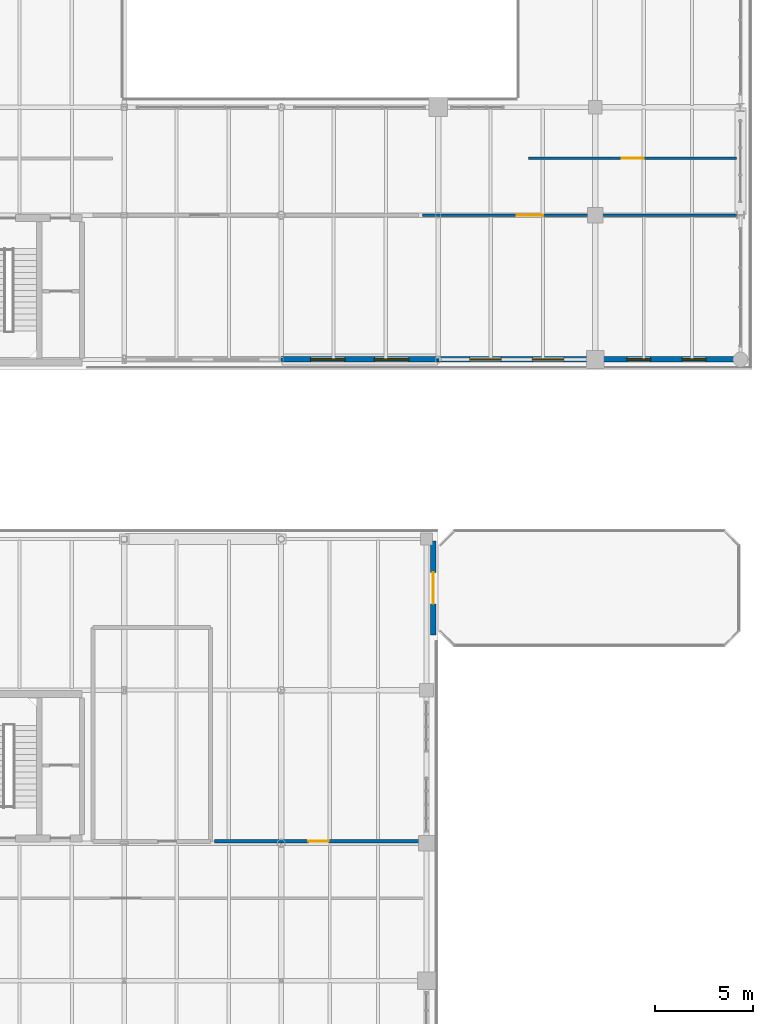
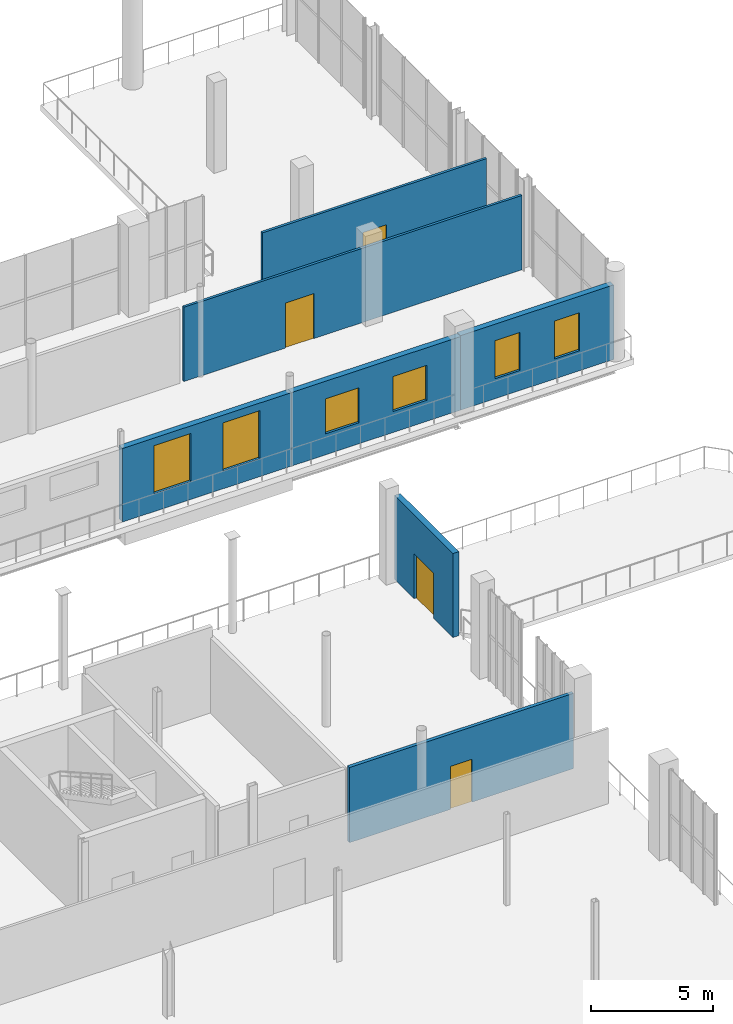
# One storey, part 75 of 93: 7 walls, 6 windows, 4 doors, 10 openings.
"""IFC4 building model written with IfcOpenShell, lengths in metres."""

from ifc_helpers import new_model, si_unit, direction, frame, frame_2d, origin, place, context, subcontext, project, spatial, rectangle, extrude, material, layer, layer_set, type_object, element, fill, save


model = new_model("IFC4")

# Units and contexts
model_context = context("Model", 3, precision=1e-05, world=origin(), true_north=direction((0.0, 1.0)))
body_context = subcontext(model_context, "Body", "Model", "MODEL_VIEW")
ifc_project = project(units=[si_unit("LENGTHUNIT", "METRE"), si_unit("AREAUNIT", "SQUARE_METRE"), si_unit("VOLUMEUNIT", "CUBIC_METRE"), si_unit("PLANEANGLEUNIT", "RADIAN"), si_unit("MASSUNIT", "GRAM", prefix="KILO")], contexts=[model_context])

# Site, building, storey
site_placement = place(None, origin())
site = spatial("IfcSite", under=ifc_project, at=site_placement, CompositionType="ELEMENT")
building_placement = place(site_placement, origin())
building = spatial("IfcBuilding", under=site, at=building_placement, Name="Brisemont Oceanarium", CompositionType="ELEMENT")
storey_placement = place(building_placement, frame((0.0, 0.0, 5.39990234375)))
storey = spatial("IfcBuildingStorey", under=building, at=storey_placement, Name="L01", CompositionType="ELEMENT", Elevation=5.39990234375)

# Wall, opening, door
ifc_material_1 = material(Name="Beaux-Arts Limestone Cladding Precast Concrete C40/50", Category="masonry")
ifc_layer_1 = layer(ifc_material_1, 0.280029296875)
ifc_layer_set_1 = layer_set([ifc_layer_1], Name="Beaux-Arts Limestone Cladding Precast Concrete C40/50")
wall_type_1 = type_object("IfcWallType", Name="EW-LIME-280", PredefinedType="STANDARD", material=ifc_layer_set_1)
wall_1_placement = place(storey_placement, frame((143.75, 66.60009765625, 0.0), z_axis=(0.0, 0.0, 1.0), x_axis=(0.0, 1.0, 0.0)))
wall_1 = element("IfcWall", 1, at=wall_1_placement, inside=storey, type_object=wall_type_1, Name="Beaux-Arts exterior wall EW-V5ETERN-L01", PredefinedType="STANDARD", context=body_context, shape_type="SweptSolid", body=[
    extrude(rectangle(XDim=4.7998046875, YDim=0.280029296875, at=frame_2d((2.39990234375, 0.0))), origin(), (0.0, 0.0, 1.0), 4.2001953125),
])
opening_1_placement = place(wall_1_placement, frame((1.60009765625, 0.0, 0.0)))
opening_1 = element("IfcOpeningElement", 2, at=opening_1_placement, cuts=wall_1, Name="Opening ED-01", PredefinedType="OPENING", context=body_context, shape_type="SweptSolid", body=[
    extrude(rectangle(XDim=1.60009765625, YDim=2.25, at=frame_2d((0.800048828125, 1.125))), frame((0.0, 0.14990234375, 0.0), z_axis=(0.0, -1.0, 0.0), x_axis=(1.0, 0.0, 0.0)), (0.0, 0.0, 1.0), 0.300048828125),
])
ifc_material_2 = material(Name="Anodized Extruded Aluminum 6063-T6", Category="aluminium")
door_type_1 = type_object("IfcDoorType", Name="DR-TER-1600X2250", OperationType="NOTDEFINED", PredefinedType="DOOR", material=ifc_material_2)
door_1_placement = place(opening_1_placement, origin())
door_1 = element("IfcDoor", 3, at=door_1_placement, inside=storey, type_object=door_type_1, Name="ED-01 exterior entrance door 8", OperationType="SINGLE_SWING_RIGHT", OverallHeight=2.25, OverallWidth=1.60009765625, PredefinedType="DOOR", context=body_context, shape_type="SweptSolid", body=[
    extrude(rectangle(XDim=1.60009765625, YDim=2.25, at=frame_2d((0.800048828125, 1.125))), frame((0.0, 0.02490234375, 0.0), z_axis=(0.0, -1.0, 0.0), x_axis=(1.0, 0.0, 0.0)), (0.0, 0.0, 1.0), 0.050048828125),
])
fill(opening_1, door_1)

# Wall, openings, windows
wall_2_placement = place(storey_placement, frame((136.0, 80.64990234375, 0.0), z_axis=(0.0, 0.0, 1.0), x_axis=(1.0, 0.0, 0.0)))
wall_2 = element("IfcWall", 4, at=wall_2_placement, inside=storey, type_object=wall_type_1, Name="Beaux-Arts exterior wall EW-V6S-L01-4", PredefinedType="STANDARD", context=body_context, shape_type="SweptSolid", body=[
    extrude(rectangle(XDim=8.0, YDim=0.280029296875, at=frame_2d((4.0, 0.0))), origin(), (0.0, 0.0, 1.0), 3.68017578125),
])
opening_2_placement = place(wall_2_placement, frame((1.5, 0.0, 0.89990234375)))
opening_2 = element("IfcOpeningElement", 5, at=opening_2_placement, cuts=wall_2, Name="Opening WIN-19", PredefinedType="OPENING", context=body_context, shape_type="SweptSolid", body=[
    extrude(rectangle(XDim=1.75, YDim=2.39990234375, at=frame_2d((0.875, 1.199951171875))), frame((0.0, 0.14990234375, 0.0), z_axis=(0.0, -1.0, 0.0), x_axis=(1.0, 0.0, 0.0)), (0.0, 0.0, 1.0), 0.300048828125),
])
opening_3_placement = place(wall_2_placement, frame((4.75, 0.0, 0.89990234375)))
opening_3 = element("IfcOpeningElement", 6, at=opening_3_placement, cuts=wall_2, Name="Opening WIN-19", PredefinedType="OPENING", context=body_context, shape_type="SweptSolid", body=[
    extrude(rectangle(XDim=1.75, YDim=2.39990234375, at=frame_2d((0.875, 1.199951171875))), frame((0.0, 0.14990234375, 0.0), z_axis=(0.0, -1.0, 0.0), x_axis=(1.0, 0.0, 0.0)), (0.0, 0.0, 1.0), 0.300048828125),
])
ifc_material_3 = material(Name="Insulated Low-E Laminated Glass", Category="glass")
window_type_1 = type_object("IfcWindowType", Name="WIN-BA-1750X2400", PartitioningType="SINGLE_PANEL", PredefinedType="WINDOW", material=ifc_material_3)
window_1_placement = place(opening_2_placement, origin())
window_1 = element("IfcWindow", 7, at=window_1_placement, inside=storey, type_object=window_type_1, Name="WIN-19 facade window 73", OverallHeight=2.39990234375, OverallWidth=1.75, PartitioningType="SINGLE_PANEL", PredefinedType="WINDOW", context=body_context, shape_type="SweptSolid", body=[
    extrude(rectangle(XDim=1.75, YDim=2.39990234375, at=frame_2d((0.875, 1.199951171875))), frame((0.0, 0.030029296875, 0.0), z_axis=(0.0, -1.0, 0.0), x_axis=(1.0, 0.0, 0.0)), (0.0, 0.0, 1.0), 0.06005859375),
])
fill(opening_2, window_1)
window_2_placement = place(opening_3_placement, origin())
window_2 = element("IfcWindow", 8, at=window_2_placement, inside=storey, type_object=window_type_1, Name="WIN-19 facade window 74", OverallHeight=2.39990234375, OverallWidth=1.75, PartitioningType="SINGLE_PANEL", PredefinedType="WINDOW", context=body_context, shape_type="SweptSolid", body=[
    extrude(rectangle(XDim=1.75, YDim=2.39990234375, at=frame_2d((0.875, 1.199951171875))), frame((0.0, 0.030029296875, 0.0), z_axis=(0.0, -1.0, 0.0), x_axis=(1.0, 0.0, 0.0)), (0.0, 0.0, 1.0), 0.06005859375),
])
fill(opening_3, window_2)

wall_3_placement = place(storey_placement, frame((144.0, 80.64990234375, 0.0), z_axis=(0.0, 0.0, 1.0), x_axis=(1.0, 0.0, 0.0)))
wall_3 = element("IfcWall", 9, at=wall_3_placement, inside=storey, type_object=wall_type_1, Name="Beaux-Arts exterior wall EW-V6S-L01-5", PredefinedType="STANDARD", context=body_context, shape_type="SweptSolid", body=[
    extrude(rectangle(XDim=8.0, YDim=0.280029296875, at=frame_2d((4.0, 0.0))), origin(), (0.0, 0.0, 1.0), 3.68017578125),
])
opening_4_placement = place(wall_3_placement, frame((1.60009765625, 0.0, 1.050048828125)))
opening_4 = element("IfcOpeningElement", 10, at=opening_4_placement, cuts=wall_3, Name="Opening WIN-27", PredefinedType="OPENING", context=body_context, shape_type="SweptSolid", body=[
    extrude(rectangle(XDim=1.60009765625, YDim=1.75, at=frame_2d((0.800048828125, 0.875))), frame((0.0, 0.14990234375, 0.0), z_axis=(0.0, -1.0, 0.0), x_axis=(1.0, 0.0, 0.0)), (0.0, 0.0, 1.0), 0.300048828125),
])
opening_5_placement = place(wall_3_placement, frame((4.800048828125, 0.0, 1.050048828125)))
opening_5 = element("IfcOpeningElement", 11, at=opening_5_placement, cuts=wall_3, Name="Opening WIN-27", PredefinedType="OPENING", context=body_context, shape_type="SweptSolid", body=[
    extrude(rectangle(XDim=1.60009765625, YDim=1.75, at=frame_2d((0.800048828125, 0.875))), frame((0.0, 0.14990234375, 0.0), z_axis=(0.0, -1.0, 0.0), x_axis=(1.0, 0.0, 0.0)), (0.0, 0.0, 1.0), 0.300048828125),
])
ifc_material_4 = material(Name="Insulated Low-E Laminated Glass", Category="glass")
window_type_2 = type_object("IfcWindowType", Name="WIN-LAB-1600X1750", PartitioningType="SINGLE_PANEL", PredefinedType="WINDOW", material=ifc_material_4)
window_3_placement = place(opening_4_placement, origin())
window_3 = element("IfcWindow", 12, at=window_3_placement, inside=storey, type_object=window_type_2, Name="WIN-27 facade window 81", OverallHeight=1.75, OverallWidth=1.60009765625, PartitioningType="SINGLE_PANEL", PredefinedType="WINDOW", context=body_context, shape_type="SweptSolid", body=[
    extrude(rectangle(XDim=1.60009765625, YDim=1.75, at=frame_2d((0.800048828125, 0.875))), frame((0.0, 0.030029296875, 0.0), z_axis=(0.0, -1.0, 0.0), x_axis=(1.0, 0.0, 0.0)), (0.0, 0.0, 1.0), 0.06005859375),
])
fill(opening_4, window_3)
window_4_placement = place(opening_5_placement, origin())
window_4 = element("IfcWindow", 13, at=window_4_placement, inside=storey, type_object=window_type_2, Name="WIN-27 facade window 82", OverallHeight=1.75, OverallWidth=1.60009765625, PartitioningType="SINGLE_PANEL", PredefinedType="WINDOW", context=body_context, shape_type="SweptSolid", body=[
    extrude(rectangle(XDim=1.60009765625, YDim=1.75, at=frame_2d((0.800048828125, 0.875))), frame((0.0, 0.030029296875, 0.0), z_axis=(0.0, -1.0, 0.0), x_axis=(1.0, 0.0, 0.0)), (0.0, 0.0, 1.0), 0.06005859375),
])
fill(opening_5, window_4)

wall_4_placement = place(storey_placement, frame((152.0, 80.64990234375, 0.0), z_axis=(0.0, 0.0, 1.0), x_axis=(1.0, 0.0, 0.0)))
wall_4 = element("IfcWall", 14, at=wall_4_placement, inside=storey, type_object=wall_type_1, Name="Beaux-Arts exterior wall EW-V6S-L01-6", PredefinedType="STANDARD", context=body_context, shape_type="SweptSolid", body=[
    extrude(rectangle(XDim=7.25, YDim=0.280029296875, at=frame_2d((3.625, 0.0))), origin(), (0.0, 0.0, 1.0), 3.72705078125),
])
opening_6_placement = place(wall_4_placement, frame((1.61669921875, 0.0, 1.0)))
opening_6 = element("IfcOpeningElement", 15, at=opening_6_placement, cuts=wall_4, Name="Opening WIN-08", PredefinedType="OPENING", context=body_context, shape_type="SweptSolid", body=[
    extrude(rectangle(XDim=1.199951171875, YDim=1.89990234375, at=frame_2d((0.60009765625, 0.949951171875))), frame((0.0, 0.14990234375, 0.0), z_axis=(0.0, -1.0, 0.0), x_axis=(1.0, 0.0, 0.0)), (0.0, 0.0, 1.0), 0.300048828125),
])
opening_7_placement = place(wall_4_placement, frame((4.433349609375, 0.0, 1.0)))
opening_7 = element("IfcOpeningElement", 16, at=opening_7_placement, cuts=wall_4, Name="Opening WIN-08", PredefinedType="OPENING", context=body_context, shape_type="SweptSolid", body=[
    extrude(rectangle(XDim=1.199951171875, YDim=1.89990234375, at=frame_2d((0.60009765625, 0.949951171875))), frame((0.0, 0.14990234375, 0.0), z_axis=(0.0, -1.0, 0.0), x_axis=(1.0, 0.0, 0.0)), (0.0, 0.0, 1.0), 0.300048828125),
])
ifc_material_5 = material(Name="Insulated Low-E Laminated Glass", Category="glass")
window_type_3 = type_object("IfcWindowType", Name="WIN-BA-1200X1900", PartitioningType="SINGLE_PANEL", PredefinedType="WINDOW", material=ifc_material_5)
window_5_placement = place(opening_6_placement, origin())
window_5 = element("IfcWindow", 17, at=window_5_placement, inside=storey, type_object=window_type_3, Name="WIN-08 facade window 89", OverallHeight=1.89990234375, OverallWidth=1.199951171875, PartitioningType="SINGLE_PANEL", PredefinedType="WINDOW", context=body_context, shape_type="SweptSolid", body=[
    extrude(rectangle(XDim=1.199951171875, YDim=1.89990234375, at=frame_2d((0.60009765625, 0.949951171875))), frame((0.0, 0.030029296875, 0.0), z_axis=(0.0, -1.0, 0.0), x_axis=(1.0, 0.0, 0.0)), (0.0, 0.0, 1.0), 0.06005859375),
])
fill(opening_6, window_5)
window_6_placement = place(opening_7_placement, origin())
window_6 = element("IfcWindow", 18, at=window_6_placement, inside=storey, type_object=window_type_3, Name="WIN-08 facade window 90", OverallHeight=1.89990234375, OverallWidth=1.199951171875, PartitioningType="SINGLE_PANEL", PredefinedType="WINDOW", context=body_context, shape_type="SweptSolid", body=[
    extrude(rectangle(XDim=1.199951171875, YDim=1.89990234375, at=frame_2d((0.60009765625, 0.949951171875))), frame((0.0, 0.030029296875, 0.0), z_axis=(0.0, -1.0, 0.0), x_axis=(1.0, 0.0, 0.0)), (0.0, 0.0, 1.0), 0.06005859375),
])
fill(opening_7, window_6)

# Wall, opening, door
ifc_material_6 = material(Name="Moisture-Resistant Gypsum Steel-Stud Partition", Category="steel")
ifc_layer_2 = layer(ifc_material_6, 0.159912109375)
ifc_layer_set_2 = layer_set([ifc_layer_2], Name="Moisture-Resistant Gypsum Steel-Stud Partition")
wall_type_2 = type_object("IfcWallType", Name="IW-FB-160", PredefinedType="PARTITIONING", material=ifc_layer_set_2)
wall_5_placement = place(storey_placement, frame((132.60009765625, 56.10009765625, 0.0), z_axis=(0.0, 0.0, 1.0), x_axis=(1.0, 0.0, 0.0)))
wall_5 = element("IfcWall", 19, at=wall_5_placement, inside=storey, type_object=wall_type_2, Name="Mangrove Nursery Exhibit Gallery corridor partition", PredefinedType="PARTITIONING", context=body_context, shape_type="SweptSolid", body=[
    extrude(rectangle(XDim=10.599853515625, YDim=0.159912109375, at=frame_2d((5.2998046875, 0.0))), origin(), (0.0, 0.0, 1.0), 3.76708984375),
])
opening_8_placement = place(wall_5_placement, frame((4.7900390625, 0.0, 0.0)))
opening_8 = element("IfcOpeningElement", 20, at=opening_8_placement, cuts=wall_5, Name="Opening D-01", PredefinedType="OPENING", context=body_context, shape_type="SweptSolid", body=[
    extrude(rectangle(XDim=1.02001953125, YDim=2.14990234375, at=frame_2d((0.510009765625, 1.074951171875))), frame((0.0, 0.08984375, 0.0), z_axis=(0.0, -1.0, 0.0), x_axis=(1.0, 0.0, 0.0)), (0.0, 0.0, 1.0), 0.179931640625),
])
ifc_material_7 = material(Name="FSC White Oak Solid-Core Fire Door")
door_type_2 = type_object("IfcDoorType", Name="DR-RM-1020X2150", OperationType="NOTDEFINED", PredefinedType="DOOR", material=ifc_material_7)
door_2_placement = place(opening_8_placement, origin())
door_2 = element("IfcDoor", 21, at=door_2_placement, inside=storey, type_object=door_type_2, Name="D-01 door to Mangrove Nursery Exhibit Gallery", OperationType="SINGLE_SWING_RIGHT", OverallHeight=2.14990234375, OverallWidth=1.02001953125, PredefinedType="DOOR", context=body_context, shape_type="SweptSolid", body=[
    extrude(rectangle(XDim=1.02001953125, YDim=2.14990234375, at=frame_2d((0.510009765625, 1.074951171875))), frame((0.0, 0.02490234375, 0.0), z_axis=(0.0, -1.0, 0.0), x_axis=(1.0, 0.0, 0.0)), (0.0, 0.0, 1.0), 0.050048828125),
])
fill(opening_8, door_2)

ifc_material_8 = material(Name="Moisture-Resistant Gypsum Steel-Stud Partition", Category="steel")
ifc_layer_3 = layer(ifc_material_8, 0.1201171875)
ifc_layer_set_3 = layer_set([ifc_layer_3], Name="Moisture-Resistant Gypsum Steel-Stud Partition")
wall_type_3 = type_object("IfcWallType", Name="IW-PART-120", PredefinedType="PARTITIONING", material=ifc_layer_set_3)
wall_6_placement = place(storey_placement, frame((143.199951171875, 88.0, 0.0), z_axis=(0.0, 0.0, 1.0), x_axis=(1.0, 0.0, 0.0)))
wall_6 = element("IfcWall", 22, at=wall_6_placement, inside=storey, type_object=wall_type_3, Name="Kelp Aquaculture Physiology Wet Lab corridor partition", PredefinedType="PARTITIONING", context=body_context, shape_type="SweptSolid", body=[
    extrude(rectangle(XDim=16.0, YDim=0.1201171875, at=frame_2d((8.0, 0.0))), origin(), (0.0, 0.0, 1.0), 3.718017578125),
])
opening_9_placement = place(wall_6_placement, frame((4.80322265625, 0.0, 0.0)))
opening_9 = element("IfcOpeningElement", 23, at=opening_9_placement, cuts=wall_6, Name="Opening LB-01", PredefinedType="OPENING", context=body_context, shape_type="SweptSolid", body=[
    extrude(rectangle(XDim=1.35009765625, YDim=2.25, at=frame_2d((0.675048828125, 1.125))), frame((0.0, 0.070068359375, 0.0), z_axis=(0.0, -1.0, 0.0), x_axis=(1.0, 0.0, 0.0)), (0.0, 0.0, 1.0), 0.14013671875),
])
ifc_material_9 = material(Name="Duplex Stainless Steel EN 1.4462", Category="steel")
door_type_3 = type_object("IfcDoorType", Name="DR-LAB-1350X2250", OperationType="NOTDEFINED", PredefinedType="DOOR", material=ifc_material_9)
door_3_placement = place(opening_9_placement, origin())
door_3 = element("IfcDoor", 24, at=door_3_placement, inside=storey, type_object=door_type_3, Name="LB-01 door to Kelp Aquaculture Physiology Wet Lab", OperationType="SINGLE_SWING_LEFT", OverallHeight=2.25, OverallWidth=1.35009765625, PredefinedType="DOOR", context=body_context, shape_type="SweptSolid", body=[
    extrude(rectangle(XDim=1.35009765625, YDim=2.25, at=frame_2d((0.675048828125, 1.125))), frame((0.0, 0.02490234375, 0.0), z_axis=(0.0, -1.0, 0.0), x_axis=(1.0, 0.0, 0.0)), (0.0, 0.0, 1.0), 0.050048828125),
])
fill(opening_9, door_3)

wall_7_placement = place(storey_placement, frame((148.60009765625, 90.89990234375, 0.0), z_axis=(0.0, 0.0, 1.0), x_axis=(1.0, 0.0, 0.0)))
wall_7 = element("IfcWall", 25, at=wall_7_placement, inside=storey, type_object=wall_type_3, Name="Marine Microbiology Biosafety Laboratory corridor partition", PredefinedType="PARTITIONING", context=body_context, shape_type="SweptSolid", body=[
    extrude(rectangle(XDim=10.599853515625, YDim=0.1201171875, at=frame_2d((5.2998046875, 0.0))), origin(), (0.0, 0.0, 1.0), 3.797119140625),
])
opening_10_placement = place(wall_7_placement, frame((4.739990234375, 0.0, 0.0)))
opening_10 = element("IfcOpeningElement", 26, at=opening_10_placement, cuts=wall_7, Name="Opening LB-03", PredefinedType="OPENING", context=body_context, shape_type="SweptSolid", body=[
    extrude(rectangle(XDim=1.1201171875, YDim=2.14990234375, at=frame_2d((0.56005859375, 1.074951171875))), frame((0.0, 0.070068359375, 0.0), z_axis=(0.0, -1.0, 0.0), x_axis=(1.0, 0.0, 0.0)), (0.0, 0.0, 1.0), 0.14013671875),
])
ifc_material_10 = material(Name="Duplex Stainless Steel EN 1.4462", Category="steel")
door_type_4 = type_object("IfcDoorType", Name="DR-LAB-1120X2150", OperationType="NOTDEFINED", PredefinedType="DOOR", material=ifc_material_10)
door_4_placement = place(opening_10_placement, origin())
door_4 = element("IfcDoor", 27, at=door_4_placement, inside=storey, type_object=door_type_4, Name="LB-03 door to Marine Microbiology Biosafety Laboratory", OperationType="SINGLE_SWING_LEFT", OverallHeight=2.14990234375, OverallWidth=1.1201171875, PredefinedType="DOOR", context=body_context, shape_type="SweptSolid", body=[
    extrude(rectangle(XDim=1.1201171875, YDim=2.14990234375, at=frame_2d((0.56005859375, 1.074951171875))), frame((0.0, 0.02490234375, 0.0), z_axis=(0.0, -1.0, 0.0), x_axis=(1.0, 0.0, 0.0)), (0.0, 0.0, 1.0), 0.050048828125),
])
fill(opening_10, door_4)

save(model, "model.ifc")
